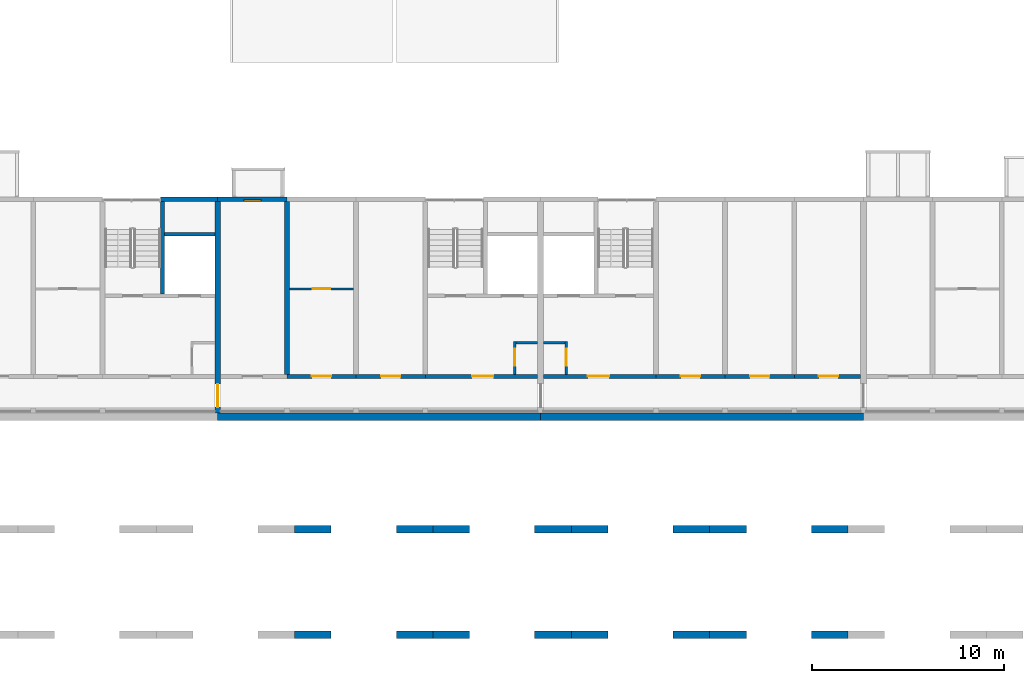
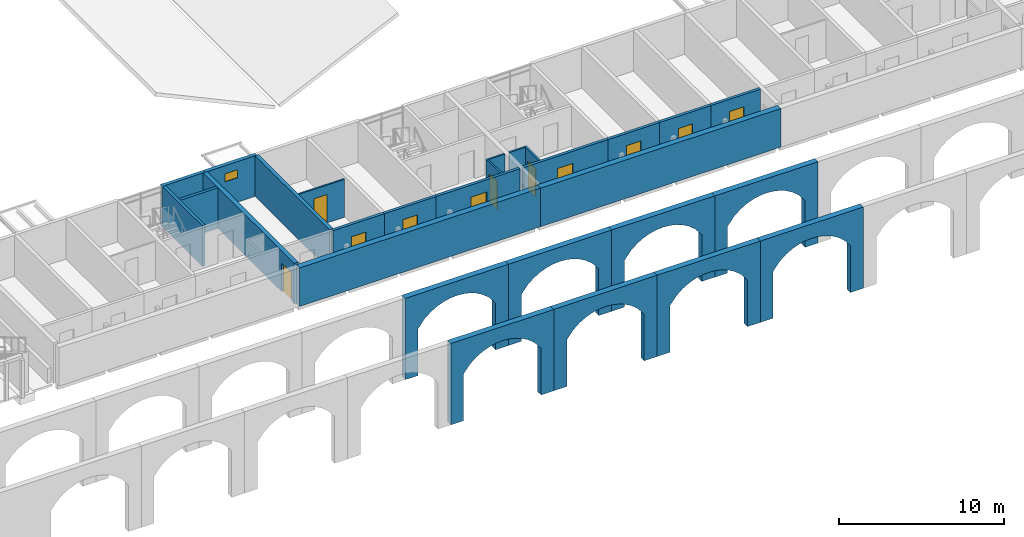
# One storey, part 54 of 122: 28 walls, 11 doors, 1 window, 12 openings.
"""IFC4 building model written with IfcOpenShell, lengths in metres."""

from ifc_helpers import new_model, si_unit, direction, frame, frame_2d, origin, place, context, subcontext, project, spatial, polyline, rectangle, outline, extrude, material, layer, layer_set, type_object, element, fill, save


model = new_model("IFC4")

# Units and contexts
model_context = context("Model", 3, precision=1e-05, world=origin(), true_north=direction((0.0, 1.0)))
body_context = subcontext(model_context, "Body", "Model", "MODEL_VIEW")
ifc_project = project(units=[si_unit("LENGTHUNIT", "METRE"), si_unit("AREAUNIT", "SQUARE_METRE"), si_unit("VOLUMEUNIT", "CUBIC_METRE"), si_unit("PLANEANGLEUNIT", "RADIAN"), si_unit("MASSUNIT", "GRAM", prefix="KILO")], contexts=[model_context])

# Site, building, storey
site_placement = place(None, origin())
site = spatial("IfcSite", under=ifc_project, at=site_placement, CompositionType="ELEMENT")
building_placement = place(site_placement, origin())
building = spatial("IfcBuilding", under=site, at=building_placement, Name="Ridgestep Commons", CompositionType="ELEMENT")
storey_placement = place(building_placement, frame((0.0, 0.0, 3.0)))
storey = spatial("IfcBuildingStorey", under=building, at=storey_placement, Name="L01", CompositionType="ELEMENT", Elevation=3.0)

# Walls
ifc_material_1 = material(Name="Precast concrete C40/50", Category="concrete")
ifc_layer_1 = layer(ifc_material_1, 0.39990234375)
ifc_layer_set_1 = layer_set([ifc_layer_1], Name="Community south arcade inner wall 400")
wall_type_1 = type_object("IfcWallType", Name="Community south arcade inner wall 400", PredefinedType="SOLIDWALL", material=ifc_layer_set_1)
wall_1_placement = place(storey_placement, frame((32.800048828125, 5.5, -3.25), z_axis=(0.0, -1.0, 0.0), x_axis=(1.0, 0.0, 0.0)))
element("IfcWall", 1, at=wall_1_placement, inside=storey, type_object=wall_type_1, Name="South arcade inner wall", PredefinedType="SOLIDWALL", context=body_context, shape_type="SweptSolid", body=[
    extrude(outline(polyline([(0.0, 0.0), (0.89990234375, 0.0), (0.89990234375, 3.449951171875), (1.349853515625, 4.01708984375), (1.800048828125, 4.3916015625), (2.25, 4.649169921875), (2.699951171875, 4.820068359375), (3.14990234375, 4.91796875), (3.599853515625, 4.949951171875), (4.050048828125, 4.91796875), (4.5, 4.820068359375), (4.949951171875, 4.649169921875), (5.39990234375, 4.3916015625), (5.849853515625, 4.01708984375), (6.300048828125, 3.449951171875), (6.300048828125, 0.0), (7.199951171875, 0.0), (7.199951171875, 6.0), (0.0, 6.0), (0.0, 0.0)])), origin(), (0.0, 0.0, -1.0), 0.39990234375),
])
wall_2_placement = place(storey_placement, frame((40.0, 5.5, -3.25), z_axis=(0.0, -1.0, 0.0), x_axis=(1.0, 0.0, 0.0)))
element("IfcWall", 2, at=wall_2_placement, inside=storey, type_object=wall_type_1, Name="South arcade inner wall", PredefinedType="SOLIDWALL", context=body_context, shape_type="SweptSolid", body=[
    extrude(outline(polyline([(0.0, 0.0), (0.89990234375, 0.0), (0.89990234375, 3.449951171875), (1.35009765625, 4.01708984375), (1.800048828125, 4.3916015625), (2.25, 4.649169921875), (2.699951171875, 4.820068359375), (3.14990234375, 4.91796875), (3.60009765625, 4.949951171875), (4.050048828125, 4.91796875), (4.5, 4.820068359375), (4.949951171875, 4.649169921875), (5.39990234375, 4.3916015625), (5.85009765625, 4.01708984375), (6.300048828125, 3.449951171875), (6.300048828125, 0.0), (7.199951171875, 0.0), (7.199951171875, 6.0), (0.0, 6.0), (0.0, 0.0)])), origin(), (0.0, 0.0, -1.0), 0.39990234375),
])
wall_3_placement = place(storey_placement, frame((47.199951171875, 5.5, -3.25), z_axis=(0.0, -1.0, 0.0), x_axis=(1.0, 0.0, 0.0)))
element("IfcWall", 3, at=wall_3_placement, inside=storey, type_object=wall_type_1, Name="South arcade inner wall", PredefinedType="SOLIDWALL", context=body_context, shape_type="SweptSolid", body=[
    extrude(outline(polyline([(0.0, 0.0), (0.900146484375, 0.0), (0.900146484375, 3.449951171875), (1.35009765625, 4.01708984375), (1.800048828125, 4.3916015625), (2.25, 4.649169921875), (2.699951171875, 4.820068359375), (3.150146484375, 4.91796875), (3.60009765625, 4.949951171875), (4.050048828125, 4.91796875), (4.5, 4.820068359375), (4.949951171875, 4.649169921875), (5.400146484375, 4.3916015625), (5.85009765625, 4.01708984375), (6.300048828125, 3.449951171875), (6.300048828125, 0.0), (7.199951171875, 0.0), (7.199951171875, 6.0), (0.0, 6.0), (0.0, 0.0)])), origin(), (0.0, 0.0, -1.0), 0.39990234375),
])
wall_4_placement = place(storey_placement, frame((54.39990234375, 5.5, -3.25), z_axis=(0.0, -1.0, 0.0), x_axis=(1.0, 0.0, 0.0)))
element("IfcWall", 4, at=wall_4_placement, inside=storey, type_object=wall_type_1, Name="South arcade inner wall", PredefinedType="SOLIDWALL", context=body_context, shape_type="SweptSolid", body=[
    extrude(outline(polyline([(0.0, 0.0), (0.900146484375, 0.0), (0.900146484375, 3.449951171875), (1.35009765625, 4.01708984375), (1.800048828125, 4.3916015625), (2.25, 4.649169921875), (2.7001953125, 4.820068359375), (3.150146484375, 4.91796875), (3.60009765625, 4.949951171875), (4.050048828125, 4.91796875), (4.5, 4.820068359375), (4.9501953125, 4.649169921875), (5.400146484375, 4.3916015625), (5.85009765625, 4.01708984375), (6.300048828125, 3.449951171875), (6.300048828125, 0.0), (7.2001953125, 0.0), (7.2001953125, 6.0), (0.0, 6.0), (0.0, 0.0)])), origin(), (0.0, 0.0, -1.0), 0.39990234375),
])
ifc_material_2 = material(Name="Precast concrete C40/50", Category="concrete")
ifc_layer_2 = layer(ifc_material_2, 0.39990234375)
ifc_layer_set_2 = layer_set([ifc_layer_2], Name="Community south arcade wall 400")
wall_type_2 = type_object("IfcWallType", Name="Community south arcade wall 400", PredefinedType="SOLIDWALL", material=ifc_layer_set_2)
wall_5_placement = place(storey_placement, frame((32.800048828125, 0.001953125, -3.25), z_axis=(0.0, -1.0, 0.0), x_axis=(1.0, 0.0, 0.0)))
element("IfcWall", 5, at=wall_5_placement, inside=storey, type_object=wall_type_2, Name="South arcade wall", PredefinedType="SOLIDWALL", context=body_context, shape_type="SweptSolid", body=[
    extrude(outline(polyline([(0.0, 0.0), (0.89990234375, 0.0), (0.89990234375, 3.449951171875), (1.349853515625, 4.01708984375), (1.800048828125, 4.3916015625), (2.25, 4.649169921875), (2.699951171875, 4.820068359375), (3.14990234375, 4.91796875), (3.599853515625, 4.949951171875), (4.050048828125, 4.91796875), (4.5, 4.820068359375), (4.949951171875, 4.649169921875), (5.39990234375, 4.3916015625), (5.849853515625, 4.01708984375), (6.300048828125, 3.449951171875), (6.300048828125, 0.0), (7.199951171875, 0.0), (7.199951171875, 6.0), (0.0, 6.0), (0.0, 0.0)])), origin(), (0.0, 0.0, -1.0), 0.39990234375),
])
wall_6_placement = place(storey_placement, frame((40.0, 0.001953125, -3.25), z_axis=(0.0, -1.0, 0.0), x_axis=(1.0, 0.0, 0.0)))
element("IfcWall", 6, at=wall_6_placement, inside=storey, type_object=wall_type_2, Name="South arcade wall", PredefinedType="SOLIDWALL", context=body_context, shape_type="SweptSolid", body=[
    extrude(outline(polyline([(0.0, 0.0), (0.89990234375, 0.0), (0.89990234375, 3.449951171875), (1.35009765625, 4.01708984375), (1.800048828125, 4.3916015625), (2.25, 4.649169921875), (2.699951171875, 4.820068359375), (3.14990234375, 4.91796875), (3.60009765625, 4.949951171875), (4.050048828125, 4.91796875), (4.5, 4.820068359375), (4.949951171875, 4.649169921875), (5.39990234375, 4.3916015625), (5.85009765625, 4.01708984375), (6.300048828125, 3.449951171875), (6.300048828125, 0.0), (7.199951171875, 0.0), (7.199951171875, 6.0), (0.0, 6.0), (0.0, 0.0)])), origin(), (0.0, 0.0, -1.0), 0.39990234375),
])
wall_7_placement = place(storey_placement, frame((47.199951171875, 0.001953125, -3.25), z_axis=(0.0, -1.0, 0.0), x_axis=(1.0, 0.0, 0.0)))
element("IfcWall", 7, at=wall_7_placement, inside=storey, type_object=wall_type_2, Name="South arcade wall", PredefinedType="SOLIDWALL", context=body_context, shape_type="SweptSolid", body=[
    extrude(outline(polyline([(0.0, 0.0), (0.900146484375, 0.0), (0.900146484375, 3.449951171875), (1.35009765625, 4.01708984375), (1.800048828125, 4.3916015625), (2.25, 4.649169921875), (2.699951171875, 4.820068359375), (3.150146484375, 4.91796875), (3.60009765625, 4.949951171875), (4.050048828125, 4.91796875), (4.5, 4.820068359375), (4.949951171875, 4.649169921875), (5.400146484375, 4.3916015625), (5.85009765625, 4.01708984375), (6.300048828125, 3.449951171875), (6.300048828125, 0.0), (7.199951171875, 0.0), (7.199951171875, 6.0), (0.0, 6.0), (0.0, 0.0)])), origin(), (0.0, 0.0, -1.0), 0.39990234375),
])
wall_8_placement = place(storey_placement, frame((54.39990234375, 0.001953125, -3.25), z_axis=(0.0, -1.0, 0.0), x_axis=(1.0, 0.0, 0.0)))
element("IfcWall", 8, at=wall_8_placement, inside=storey, type_object=wall_type_2, Name="South arcade wall", PredefinedType="SOLIDWALL", context=body_context, shape_type="SweptSolid", body=[
    extrude(outline(polyline([(0.0, 0.0), (0.900146484375, 0.0), (0.900146484375, 3.449951171875), (1.35009765625, 4.01708984375), (1.800048828125, 4.3916015625), (2.25, 4.649169921875), (2.7001953125, 4.820068359375), (3.150146484375, 4.91796875), (3.60009765625, 4.949951171875), (4.050048828125, 4.91796875), (4.5, 4.820068359375), (4.9501953125, 4.649169921875), (5.400146484375, 4.3916015625), (5.85009765625, 4.01708984375), (6.300048828125, 3.449951171875), (6.300048828125, 0.0), (7.2001953125, 0.0), (7.2001953125, 6.0), (0.0, 6.0), (0.0, 0.0)])), origin(), (0.0, 0.0, -1.0), 0.39990234375),
])

# Wall, opening, door
ifc_material_3 = material(Name="Concrete C30/37", Category="concrete")
ifc_layer_3 = layer(ifc_material_3, 0.199951171875)
ifc_layer_set_3 = layer_set([ifc_layer_3], Name="Core south wall 200")
wall_type_3 = type_object("IfcWallType", Name="Core south wall 200", PredefinedType="SHEAR", material=ifc_layer_set_3)
wall_9_placement = place(storey_placement, frame((39.60009765625, 13.64990234375, 0.0), z_axis=(0.0, 0.0, 1.0), x_axis=(1.0, 0.0, 0.0)))
wall_9 = element("IfcWall", 9, at=wall_9_placement, inside=storey, type_object=wall_type_3, Name="Core south wall A2C L01", PredefinedType="SHEAR", context=body_context, shape_type="SweptSolid", body=[
    extrude(rectangle(XDim=5.849853515625, YDim=0.199951171875, at=frame_2d((2.9248046875, 0.0))), origin(), (0.0, 0.0, 1.0), 3.0),
])
opening_1_placement = place(wall_9_placement, frame((2.4375, 0.0, 0.0)))
opening_1 = element("IfcOpeningElement", 10, at=opening_1_placement, cuts=wall_9, Name="Opening A2C/01/1", PredefinedType="OPENING", context=body_context, shape_type="SweptSolid", body=[
    extrude(rectangle(XDim=1.10009765625, YDim=2.10009765625, at=frame_2d((0.550048828125, 1.050048828125))), frame((0.0, 0.10986328125, 0.0), z_axis=(0.0, -1.0, 0.0), x_axis=(1.0, 0.0, 0.0)), (0.0, 0.0, 1.0), 0.219970703125),
])
ifc_material_4 = material(Name="Steel fire door", Category="steel")
door_type_1 = type_object("IfcDoorType", Name="Lobby door 1100 x 2100 FD60", OperationType="NOTDEFINED", PredefinedType="DOOR", material=ifc_material_4)
door_1_placement = place(opening_1_placement, origin())
door_1 = element("IfcDoor", 11, at=door_1_placement, inside=storey, type_object=door_type_1, Name="Lobby door A2C/01/1", OperationType="SINGLE_SWING_LEFT", OverallHeight=2.10009765625, OverallWidth=1.10009765625, PredefinedType="DOOR", context=body_context, shape_type="SweptSolid", body=[
    extrude(rectangle(XDim=1.10009765625, YDim=2.10009765625, at=frame_2d((0.550048828125, 1.050048828125))), frame((0.0, 0.02490234375, 0.0), z_axis=(0.0, -1.0, 0.0), x_axis=(1.0, 0.0, 0.0)), (0.0, 0.0, 1.0), 0.050048828125),
])
fill(opening_1, door_1)

wall_10_placement = place(storey_placement, frame((45.75, 13.64990234375, 0.0), z_axis=(0.0, 0.0, 1.0), x_axis=(1.0, 0.0, 0.0)))
wall_10 = element("IfcWall", 12, at=wall_10_placement, inside=storey, type_object=wall_type_3, Name="Core south wall A3C L01", PredefinedType="SHEAR", context=body_context, shape_type="SweptSolid", body=[
    extrude(rectangle(XDim=5.85009765625, YDim=0.199951171875, at=frame_2d((2.925048828125, 0.0))), origin(), (0.0, 0.0, 1.0), 3.0),
])
opening_2_placement = place(wall_10_placement, frame((2.3125, 0.0, 0.0)))
opening_2 = element("IfcOpeningElement", 13, at=opening_2_placement, cuts=wall_10, Name="Opening A3C/01/1", PredefinedType="OPENING", context=body_context, shape_type="SweptSolid", body=[
    extrude(rectangle(XDim=1.10009765625, YDim=2.10009765625, at=frame_2d((0.550048828125, 1.050048828125))), frame((0.0, 0.10986328125, 0.0), z_axis=(0.0, -1.0, 0.0), x_axis=(1.0, 0.0, 0.0)), (0.0, 0.0, 1.0), 0.219970703125),
])
door_2_placement = place(opening_2_placement, origin())
door_2 = element("IfcDoor", 14, at=door_2_placement, inside=storey, type_object=door_type_1, Name="Lobby door A3C/01/1", OperationType="SINGLE_SWING_LEFT", OverallHeight=2.10009765625, OverallWidth=1.10009765625, PredefinedType="DOOR", context=body_context, shape_type="SweptSolid", body=[
    extrude(rectangle(XDim=1.10009765625, YDim=2.10009765625, at=frame_2d((0.550048828125, 1.050048828125))), frame((0.0, 0.02490234375, 0.0), z_axis=(0.0, -1.0, 0.0), x_axis=(1.0, 0.0, 0.0)), (0.0, 0.0, 1.0), 0.050048828125),
])
fill(opening_2, door_2)

ifc_material_5 = material(Name="Concrete C30/37", Category="concrete")
ifc_layer_4 = layer(ifc_material_5, 0.1201171875)
ifc_layer_set_4 = layer_set([ifc_layer_4], Name="Core wall 120")
wall_type_4 = type_object("IfcWallType", Name="Core wall 120", PredefinedType="SHEAR", material=ifc_layer_set_4)
wall_11_placement = place(storey_placement, frame((44.260009765625, 13.75, 0.0), z_axis=(0.0, 0.0, 1.0), x_axis=(0.0, 1.0, 0.0)))
wall_11 = element("IfcWall", 15, at=wall_11_placement, inside=storey, type_object=wall_type_4, Name="Core riser w wall A2C L01", PredefinedType="SHEAR", context=body_context, shape_type="SweptSolid", body=[
    extrude(rectangle(XDim=1.719970703125, YDim=0.1201171875, at=frame_2d((0.85986328125, 0.0))), origin(), (0.0, 0.0, 1.0), 3.0),
])
opening_3_placement = place(wall_11_placement, frame((0.449951171875, 0.0, 0.0)))
opening_3 = element("IfcOpeningElement", 16, at=opening_3_placement, cuts=wall_11, Name="Opening A2C/01/4", PredefinedType="OPENING", context=body_context, shape_type="SweptSolid", body=[
    extrude(rectangle(XDim=0.89990234375, YDim=2.10009765625, at=frame_2d((0.449951171875, 1.050048828125))), frame((0.0, 0.070068359375, 0.0), z_axis=(0.0, -1.0, 0.0), x_axis=(1.0, 0.0, 0.0)), (0.0, 0.0, 1.0), 0.14013671875),
])
ifc_material_6 = material(Name="Steel fire door", Category="steel")
door_type_2 = type_object("IfcDoorType", Name="Riser door 900 x 2100 FD60", OperationType="NOTDEFINED", PredefinedType="DOOR", material=ifc_material_6)
door_3_placement = place(opening_3_placement, origin())
door_3 = element("IfcDoor", 17, at=door_3_placement, inside=storey, type_object=door_type_2, Name="Riser door A2C/01/4", OperationType="SINGLE_SWING_LEFT", OverallHeight=2.10009765625, OverallWidth=0.89990234375, PredefinedType="DOOR", context=body_context, shape_type="SweptSolid", body=[
    extrude(rectangle(XDim=0.89990234375, YDim=2.10009765625, at=frame_2d((0.449951171875, 1.050048828125))), frame((0.0, 0.02490234375, 0.0), z_axis=(0.0, -1.0, 0.0), x_axis=(1.0, 0.0, 0.0)), (0.0, 0.0, 1.0), 0.050048828125),
])
fill(opening_3, door_3)

# Wall
wall_12_placement = place(storey_placement, frame((44.320068359375, 15.409912109375, 0.0), z_axis=(0.0, 0.0, 1.0), x_axis=(1.0, 0.0, 0.0)))
element("IfcWall", 18, at=wall_12_placement, inside=storey, type_object=wall_type_4, Name="Core riser n wall A2C L01", PredefinedType="SHEAR", context=body_context, shape_type="SweptSolid", body=[
    extrude(rectangle(XDim=1.1298828125, YDim=0.1201171875, at=frame_2d((0.56494140625, 0.0))), origin(), (0.0, 0.0, 1.0), 3.0),
])

# Wall, opening, door
wall_13_placement = place(storey_placement, frame((46.93994140625, 13.75, 0.0), z_axis=(0.0, 0.0, 1.0), x_axis=(0.0, 1.0, 0.0)))
wall_13 = element("IfcWall", 19, at=wall_13_placement, inside=storey, type_object=wall_type_4, Name="Core riser w wall A3C L01", PredefinedType="SHEAR", context=body_context, shape_type="SweptSolid", body=[
    extrude(rectangle(XDim=1.719970703125, YDim=0.1201171875, at=frame_2d((0.85986328125, 0.0))), origin(), (0.0, 0.0, 1.0), 3.0),
])
opening_4_placement = place(wall_13_placement, frame((0.449951171875, 0.0, 0.0)))
opening_4 = element("IfcOpeningElement", 20, at=opening_4_placement, cuts=wall_13, Name="Opening A3C/01/4", PredefinedType="OPENING", context=body_context, shape_type="SweptSolid", body=[
    extrude(rectangle(XDim=0.89990234375, YDim=2.10009765625, at=frame_2d((0.449951171875, 1.050048828125))), frame((0.0, 0.070068359375, 0.0), z_axis=(0.0, -1.0, 0.0), x_axis=(1.0, 0.0, 0.0)), (0.0, 0.0, 1.0), 0.14013671875),
])
door_4_placement = place(opening_4_placement, origin())
door_4 = element("IfcDoor", 21, at=door_4_placement, inside=storey, type_object=door_type_2, Name="Riser door A3C/01/4", OperationType="SINGLE_SWING_RIGHT", OverallHeight=2.10009765625, OverallWidth=0.89990234375, PredefinedType="DOOR", context=body_context, shape_type="SweptSolid", body=[
    extrude(rectangle(XDim=0.89990234375, YDim=2.10009765625, at=frame_2d((0.449951171875, 1.050048828125))), frame((0.0, 0.02490234375, 0.0), z_axis=(0.0, -1.0, 0.0), x_axis=(1.0, 0.0, 0.0)), (0.0, 0.0, 1.0), 0.050048828125),
])
fill(opening_4, door_4)

# Walls
wall_14_placement = place(storey_placement, frame((45.75, 15.409912109375, 0.0), z_axis=(0.0, 0.0, 1.0), x_axis=(1.0, 0.0, 0.0)))
element("IfcWall", 22, at=wall_14_placement, inside=storey, type_object=wall_type_4, Name="Core riser n wall A3C L01", PredefinedType="SHEAR", context=body_context, shape_type="SweptSolid", body=[
    extrude(rectangle(XDim=1.1298828125, YDim=0.1201171875, at=frame_2d((0.56494140625, 0.0))), origin(), (0.0, 0.0, 1.0), 3.0),
])
ifc_material_7 = material(Name="Concrete C30/37", Category="concrete")
ifc_layer_5 = layer(ifc_material_7, 0.199951171875)
ifc_layer_set_5 = layer_set([ifc_layer_5], Name="Core wall 200")
wall_type_5 = type_object("IfcWallType", Name="Core wall 200", PredefinedType="SHEAR", material=ifc_layer_set_5)
wall_15_placement = place(storey_placement, frame((25.925048828125, 17.949951171875, 0.0), z_axis=(0.0, 0.0, 1.0), x_axis=(0.0, 1.0, 0.0)))
element("IfcWall", 23, at=wall_15_placement, inside=storey, type_object=wall_type_5, Name="Core stair wall A1C L01", PredefinedType="SHEAR", context=body_context, shape_type="SweptSolid", body=[
    extrude(rectangle(XDim=4.800048828125, YDim=0.199951171875, at=frame_2d((2.39990234375, 0.0))), origin(), (0.0, 0.0, 1.0), 3.0),
])
wall_16_placement = place(storey_placement, frame((26.02490234375, 21.050048828125, 0.0), z_axis=(0.0, 0.0, 1.0), x_axis=(1.0, 0.0, 0.0)))
element("IfcWall", 24, at=wall_16_placement, inside=storey, type_object=wall_type_5, Name="Core duct wall A1C L01", PredefinedType="SHEAR", context=body_context, shape_type="SweptSolid", body=[
    extrude(rectangle(XDim=2.625, YDim=0.199951171875, at=frame_2d((1.3125, 0.0))), origin(), (0.0, 0.0, 1.0), 3.0),
])
ifc_material_8 = material(Name="Precast concrete C40/50", Category="concrete")
ifc_layer_6 = layer(ifc_material_8, 0.25)
ifc_layer_set_6 = layer_set([ifc_layer_6], Name="Cross wall 250")
wall_type_6 = type_object("IfcWallType", Name="Cross wall 250", PredefinedType="SHEAR", material=ifc_layer_set_6)
wall_17_placement = place(storey_placement, frame((32.39990234375, 13.75, 0.0), z_axis=(0.0, 0.0, 1.0), x_axis=(0.0, 1.0, 0.0)))
element("IfcWall", 25, at=wall_17_placement, inside=storey, type_object=wall_type_6, Name="Cross wall A-01-0324", PredefinedType="SHEAR", context=body_context, shape_type="SweptSolid", body=[
    extrude(rectangle(XDim=9.0, YDim=0.25, at=frame_2d((4.5, 0.0))), origin(), (0.0, 0.0, 1.0), 3.0),
])

# Wall, opening, door
ifc_material_9 = material(Name="Precast concrete C40/50", Category="concrete")
ifc_layer_7 = layer(ifc_material_9, 0.300048828125)
ifc_layer_set_7 = layer_set([ifc_layer_7], Name="Division wall 300")
wall_type_7 = type_object("IfcWallType", Name="Division wall 300", PredefinedType="SHEAR", material=ifc_layer_set_7)
wall_18_placement = place(storey_placement, frame((28.800048828125, 11.75, 0.0), z_axis=(0.0, 0.0, 1.0), x_axis=(0.0, 1.0, 0.0)))
wall_18 = element("IfcWall", 26, at=wall_18_placement, inside=storey, type_object=wall_type_7, Name="Cross wall A-01-0288", PredefinedType="SHEAR", context=body_context, shape_type="SweptSolid", body=[
    extrude(rectangle(XDim=11.0, YDim=0.300048828125, at=frame_2d((5.5, 0.0))), origin(), (0.0, 0.0, 1.0), 3.0),
])
opening_5_placement = place(wall_18_placement, frame((0.300048828125, 0.0, 0.0)))
opening_5 = element("IfcOpeningElement", 27, at=opening_5_placement, cuts=wall_18, Name="Opening A/01/G0288", PredefinedType="OPENING", context=body_context, shape_type="SweptSolid", body=[
    extrude(rectangle(XDim=1.199951171875, YDim=2.10009765625, at=frame_2d((0.60009765625, 1.050048828125))), frame((0.0, 0.159912109375, 0.0), z_axis=(0.0, -1.0, 0.0), x_axis=(1.0, 0.0, 0.0)), (0.0, 0.0, 1.0), 0.320068359375),
])
ifc_material_10 = material(Name="Steel fire door", Category="steel")
door_type_3 = type_object("IfcDoorType", Name="Division fire door 1200 x 2100 EI 240", OperationType="DOUBLE_DOOR_SINGLE_SWING", PredefinedType="DOOR", material=ifc_material_10)
door_5_placement = place(opening_5_placement, origin())
door_5 = element("IfcDoor", 28, at=door_5_placement, inside=storey, type_object=door_type_3, Name="Division fire door A/01/G0288", OperationType="DOUBLE_DOOR_SINGLE_SWING", OverallHeight=2.10009765625, OverallWidth=1.199951171875, PredefinedType="DOOR", context=body_context, shape_type="SweptSolid", body=[
    extrude(rectangle(XDim=1.199951171875, YDim=2.10009765625, at=frame_2d((0.60009765625, 1.050048828125))), frame((0.0, 0.02490234375, 0.0), z_axis=(0.0, -1.0, 0.0), x_axis=(1.0, 0.0, 0.0)), (0.0, 0.0, 1.0), 0.050048828125),
])
fill(opening_5, door_5)

# Wall
ifc_material_11 = material(Name="Precast concrete C40/50", Category="concrete")
ifc_layer_8 = layer(ifc_material_11, 0.25)
ifc_layer_set_8 = layer_set([ifc_layer_8], Name="North facade panel 250")
wall_type_8 = type_object("IfcWallType", Name="North facade panel 250", PredefinedType="SOLIDWALL", material=ifc_layer_set_8)
wall_19_placement = place(storey_placement, frame((25.824951171875, 22.875, 0.0), z_axis=(0.0, 0.0, 1.0), x_axis=(1.0, 0.0, 0.0)))
element("IfcWall", 29, at=wall_19_placement, inside=storey, type_object=wall_type_8, Name="North panel A1C L01", PredefinedType="SOLIDWALL", context=body_context, shape_type="SweptSolid", body=[
    extrude(rectangle(XDim=2.97509765625, YDim=0.25, at=frame_2d((1.487548828125, 0.0))), origin(), (0.0, 0.0, 1.0), 3.0),
])

# Wall, opening, window
wall_20_placement = place(storey_placement, frame((28.800048828125, 22.875, 0.0), z_axis=(0.0, 0.0, 1.0), x_axis=(1.0, 0.0, 0.0)))
wall_20 = element("IfcWall", 30, at=wall_20_placement, inside=storey, type_object=wall_type_8, Name="North panel A2T1 L01", PredefinedType="SOLIDWALL", context=body_context, shape_type="SweptSolid", body=[
    extrude(rectangle(XDim=3.599853515625, YDim=0.25, at=frame_2d((1.7998046875, 0.0))), origin(), (0.0, 0.0, 1.0), 3.0),
])
opening_6_placement = place(wall_20_placement, frame((1.362548828125, 0.0, 1.800048828125)))
opening_6 = element("IfcOpeningElement", 31, at=opening_6_placement, cuts=wall_20, Name="Opening W02", PredefinedType="OPENING", context=body_context, shape_type="SweptSolid", body=[
    extrude(rectangle(XDim=0.89990234375, YDim=0.60009765625, at=frame_2d((0.449951171875, 0.300048828125))), frame((0.0, 0.135009765625, 0.0), z_axis=(0.0, -1.0, 0.0), x_axis=(1.0, 0.0, 0.0)), (0.0, 0.0, 1.0), 0.27001953125),
])
ifc_material_12 = material(Name="Aluminium 6063-T6 and glass", Category="aluminium")
window_type = type_object("IfcWindowType", Name="Flat window 900 x 600", PartitioningType="SINGLE_PANEL", PredefinedType="WINDOW", material=ifc_material_12)
window_placement = place(opening_6_placement, origin())
window = element("IfcWindow", 32, at=window_placement, inside=storey, type_object=window_type, Name="Window A2-01p 2", OverallHeight=0.60009765625, OverallWidth=0.89990234375, PartitioningType="SINGLE_PANEL", PredefinedType="WINDOW", context=body_context, shape_type="SweptSolid", body=[
    extrude(rectangle(XDim=0.89990234375, YDim=0.60009765625, at=frame_2d((0.449951171875, 0.300048828125))), frame((0.0, -0.02490234375, 0.0), z_axis=(0.0, -1.0, 0.0), x_axis=(1.0, 0.0, 0.0)), (0.0, 0.0, 1.0), 0.06005859375),
])
fill(opening_6, window)

# Wall, opening, door
ifc_material_13 = material(Name="Common brick 110 mm", Category="masonry")
ifc_layer_9 = layer(ifc_material_13, 0.110107421875)
ifc_layer_set_9 = layer_set([ifc_layer_9], Name="Partition 110")
wall_type_9 = type_object("IfcWallType", Name="Partition 110", PredefinedType="PARTITIONING", material=ifc_layer_set_9)
wall_21_placement = place(storey_placement, frame((32.52490234375, 18.205078125, 0.0), z_axis=(0.0, 0.0, 1.0), x_axis=(1.0, 0.0, 0.0)))
wall_21 = element("IfcWall", 33, at=wall_21_placement, inside=storey, type_object=wall_type_9, Name="Partition A2-01p", PredefinedType="PARTITIONING", context=body_context, shape_type="SweptSolid", body=[
    extrude(rectangle(XDim=3.35009765625, YDim=0.110107421875, at=frame_2d((1.675048828125, 0.0))), origin(), (0.0, 0.0, 1.0), 2.800048828125),
])
opening_7_placement = place(wall_21_placement, frame((1.22509765625, 0.0, 0.0)))
opening_7 = element("IfcOpeningElement", 34, at=opening_7_placement, cuts=wall_21, Name="Opening A2-01p/3", PredefinedType="OPENING", context=body_context, shape_type="SweptSolid", body=[
    extrude(rectangle(XDim=0.89990234375, YDim=2.10009765625, at=frame_2d((0.449951171875, 1.050048828125))), frame((0.0, 0.06494140625, 0.0), z_axis=(0.0, -1.0, 0.0), x_axis=(1.0, 0.0, 0.0)), (0.0, 0.0, 1.0), 0.130126953125),
])
ifc_material_14 = material(Name="Timber door leaf", Category="wood")
door_type_4 = type_object("IfcDoorType", Name="Internal door 900 x 2100", OperationType="NOTDEFINED", PredefinedType="DOOR", material=ifc_material_14)
door_6_placement = place(opening_7_placement, origin())
door_6 = element("IfcDoor", 35, at=door_6_placement, inside=storey, type_object=door_type_4, Name="Internal door A2-01p/3", OperationType="SINGLE_SWING_RIGHT", OverallHeight=2.10009765625, OverallWidth=0.89990234375, PredefinedType="DOOR", context=body_context, shape_type="SweptSolid", body=[
    extrude(rectangle(XDim=0.89990234375, YDim=2.10009765625, at=frame_2d((0.449951171875, 1.050048828125))), frame((0.0, 0.02490234375, 0.0), z_axis=(0.0, -1.0, 0.0), x_axis=(1.0, 0.0, 0.0)), (0.0, 0.0, 1.0), 0.050048828125),
])
fill(opening_7, door_6)

# Walls
ifc_material_15 = material(Name="Concrete C30/37", Category="concrete")
ifc_layer_10 = layer(ifc_material_15, 0.39990234375)
ifc_layer_set_10 = layer_set([ifc_layer_10], Name="Plinth retaining wall 400")
wall_type_10 = type_object("IfcWallType", Name="Plinth retaining wall 400", PredefinedType="SOLIDWALL", material=ifc_layer_set_10)
wall_22_placement = place(storey_placement, frame((28.800048828125, 11.550048828125, 0.0), z_axis=(0.0, 0.0, 1.0), x_axis=(1.0, 0.0, 0.0)))
element("IfcWall", 36, at=wall_22_placement, inside=storey, type_object=wall_type_10, Name="Plinth retaining wall A2 L01", PredefinedType="SOLIDWALL", context=body_context, shape_type="SweptSolid", body=[
    extrude(rectangle(XDim=16.800048828125, YDim=0.39990234375, at=frame_2d((8.39990234375, 0.0))), origin(), (0.0, 0.0, 1.0), 2.85009765625),
])
wall_23_placement = place(storey_placement, frame((45.60009765625, 11.550048828125, 0.0), z_axis=(0.0, 0.0, 1.0), x_axis=(1.0, 0.0, 0.0)))
element("IfcWall", 37, at=wall_23_placement, inside=storey, type_object=wall_type_10, Name="Plinth retaining wall A3 L01", PredefinedType="SOLIDWALL", context=body_context, shape_type="SweptSolid", body=[
    extrude(rectangle(XDim=16.7998046875, YDim=0.39990234375, at=frame_2d((8.39990234375, 0.0))), origin(), (0.0, 0.0, 1.0), 2.85009765625),
])

# Wall, opening, door
ifc_material_16 = material(Name="Precast concrete C40/50", Category="concrete")
ifc_layer_11 = layer(ifc_material_16, 0.199951171875)
ifc_layer_set_11 = layer_set([ifc_layer_11], Name="South facade panel 200")
wall_type_11 = type_object("IfcWallType", Name="South facade panel 200", PredefinedType="SOLIDWALL", material=ifc_layer_set_11)
wall_24_placement = place(storey_placement, frame((32.39990234375, 13.64990234375, 0.0), z_axis=(0.0, 0.0, 1.0), x_axis=(1.0, 0.0, 0.0)))
wall_24 = element("IfcWall", 38, at=wall_24_placement, inside=storey, type_object=wall_type_11, Name="South panel A2T2 L01", PredefinedType="SOLIDWALL", context=body_context, shape_type="SweptSolid", body=[
    extrude(rectangle(XDim=3.60009765625, YDim=0.199951171875, at=frame_2d((1.800048828125, 0.0))), origin(), (0.0, 0.0, 1.0), 3.0),
])
opening_8_placement = place(wall_24_placement, frame((1.300048828125, 0.0, 0.0)))
opening_8 = element("IfcOpeningElement", 39, at=opening_8_placement, cuts=wall_24, Name="Opening A2-01p/2", PredefinedType="OPENING", context=body_context, shape_type="SweptSolid", body=[
    extrude(rectangle(XDim=1.0, YDim=2.10009765625, at=frame_2d((0.5, 1.050048828125))), frame((0.0, 0.10986328125, 0.0), z_axis=(0.0, -1.0, 0.0), x_axis=(1.0, 0.0, 0.0)), (0.0, 0.0, 1.0), 0.219970703125),
])
ifc_material_17 = material(Name="Steel door leaf", Category="steel")
door_type_5 = type_object("IfcDoorType", Name="Store door 1000 x 2100", OperationType="NOTDEFINED", PredefinedType="DOOR", material=ifc_material_17)
door_7_placement = place(opening_8_placement, origin())
door_7 = element("IfcDoor", 40, at=door_7_placement, inside=storey, type_object=door_type_5, Name="Store door A2-01p/2", OperationType="SINGLE_SWING_RIGHT", OverallHeight=2.10009765625, OverallWidth=1.0, PredefinedType="DOOR", context=body_context, shape_type="SweptSolid", body=[
    extrude(rectangle(XDim=1.0, YDim=2.10009765625, at=frame_2d((0.5, 1.050048828125))), frame((0.0, 0.02490234375, 0.0), z_axis=(0.0, -1.0, 0.0), x_axis=(1.0, 0.0, 0.0)), (0.0, 0.0, 1.0), 0.050048828125),
])
fill(opening_8, door_7)

wall_25_placement = place(storey_placement, frame((36.0, 13.64990234375, 0.0), z_axis=(0.0, 0.0, 1.0), x_axis=(1.0, 0.0, 0.0)))
wall_25 = element("IfcWall", 41, at=wall_25_placement, inside=storey, type_object=wall_type_11, Name="South panel A2T3 L01", PredefinedType="SOLIDWALL", context=body_context, shape_type="SweptSolid", body=[
    extrude(rectangle(XDim=3.60009765625, YDim=0.199951171875, at=frame_2d((1.800048828125, 0.0))), origin(), (0.0, 0.0, 1.0), 3.0),
])
opening_9_placement = place(wall_25_placement, frame((1.300048828125, 0.0, 0.0)))
opening_9 = element("IfcOpeningElement", 42, at=opening_9_placement, cuts=wall_25, Name="Opening A2-01p/4", PredefinedType="OPENING", context=body_context, shape_type="SweptSolid", body=[
    extrude(rectangle(XDim=1.0, YDim=2.10009765625, at=frame_2d((0.5, 1.050048828125))), frame((0.0, 0.10986328125, 0.0), z_axis=(0.0, -1.0, 0.0), x_axis=(1.0, 0.0, 0.0)), (0.0, 0.0, 1.0), 0.219970703125),
])
door_8_placement = place(opening_9_placement, origin())
door_8 = element("IfcDoor", 43, at=door_8_placement, inside=storey, type_object=door_type_5, Name="Store door A2-01p/4", OperationType="SINGLE_SWING_RIGHT", OverallHeight=2.10009765625, OverallWidth=1.0, PredefinedType="DOOR", context=body_context, shape_type="SweptSolid", body=[
    extrude(rectangle(XDim=1.0, YDim=2.10009765625, at=frame_2d((0.5, 1.050048828125))), frame((0.0, 0.02490234375, 0.0), z_axis=(0.0, -1.0, 0.0), x_axis=(1.0, 0.0, 0.0)), (0.0, 0.0, 1.0), 0.050048828125),
])
fill(opening_9, door_8)

wall_26_placement = place(storey_placement, frame((51.60009765625, 13.64990234375, 0.0), z_axis=(0.0, 0.0, 1.0), x_axis=(1.0, 0.0, 0.0)))
wall_26 = element("IfcWall", 44, at=wall_26_placement, inside=storey, type_object=wall_type_11, Name="South panel A3T3 L01", PredefinedType="SOLIDWALL", context=body_context, shape_type="SweptSolid", body=[
    extrude(rectangle(XDim=3.599853515625, YDim=0.199951171875, at=frame_2d((1.7998046875, 0.0))), origin(), (0.0, 0.0, 1.0), 3.0),
])
opening_10_placement = place(wall_26_placement, frame((1.300048828125, 0.0, 0.0)))
opening_10 = element("IfcOpeningElement", 45, at=opening_10_placement, cuts=wall_26, Name="Opening A3-01p/1", PredefinedType="OPENING", context=body_context, shape_type="SweptSolid", body=[
    extrude(rectangle(XDim=1.0, YDim=2.10009765625, at=frame_2d((0.5, 1.050048828125))), frame((0.0, 0.10986328125, 0.0), z_axis=(0.0, -1.0, 0.0), x_axis=(1.0, 0.0, 0.0)), (0.0, 0.0, 1.0), 0.219970703125),
])
door_9_placement = place(opening_10_placement, origin())
door_9 = element("IfcDoor", 46, at=door_9_placement, inside=storey, type_object=door_type_5, Name="Store door A3-01p/1", OperationType="SINGLE_SWING_RIGHT", OverallHeight=2.10009765625, OverallWidth=1.0, PredefinedType="DOOR", context=body_context, shape_type="SweptSolid", body=[
    extrude(rectangle(XDim=1.0, YDim=2.10009765625, at=frame_2d((0.5, 1.050048828125))), frame((0.0, 0.02490234375, 0.0), z_axis=(0.0, -1.0, 0.0), x_axis=(1.0, 0.0, 0.0)), (0.0, 0.0, 1.0), 0.050048828125),
])
fill(opening_10, door_9)

wall_27_placement = place(storey_placement, frame((55.199951171875, 13.64990234375, 0.0), z_axis=(0.0, 0.0, 1.0), x_axis=(1.0, 0.0, 0.0)))
wall_27 = element("IfcWall", 47, at=wall_27_placement, inside=storey, type_object=wall_type_11, Name="South panel A3T2 L01", PredefinedType="SOLIDWALL", context=body_context, shape_type="SweptSolid", body=[
    extrude(rectangle(XDim=3.60009765625, YDim=0.199951171875, at=frame_2d((1.800048828125, 0.0))), origin(), (0.0, 0.0, 1.0), 3.0),
])
opening_11_placement = place(wall_27_placement, frame((1.300048828125, 0.0, 0.0)))
opening_11 = element("IfcOpeningElement", 48, at=opening_11_placement, cuts=wall_27, Name="Opening A3-01p/2", PredefinedType="OPENING", context=body_context, shape_type="SweptSolid", body=[
    extrude(rectangle(XDim=1.0, YDim=2.10009765625, at=frame_2d((0.5, 1.050048828125))), frame((0.0, 0.10986328125, 0.0), z_axis=(0.0, -1.0, 0.0), x_axis=(1.0, 0.0, 0.0)), (0.0, 0.0, 1.0), 0.219970703125),
])
door_10_placement = place(opening_11_placement, origin())
door_10 = element("IfcDoor", 49, at=door_10_placement, inside=storey, type_object=door_type_5, Name="Store door A3-01p/2", OperationType="SINGLE_SWING_RIGHT", OverallHeight=2.10009765625, OverallWidth=1.0, PredefinedType="DOOR", context=body_context, shape_type="SweptSolid", body=[
    extrude(rectangle(XDim=1.0, YDim=2.10009765625, at=frame_2d((0.5, 1.050048828125))), frame((0.0, 0.02490234375, 0.0), z_axis=(0.0, -1.0, 0.0), x_axis=(1.0, 0.0, 0.0)), (0.0, 0.0, 1.0), 0.050048828125),
])
fill(opening_11, door_10)

wall_28_placement = place(storey_placement, frame((58.800048828125, 13.64990234375, 0.0), z_axis=(0.0, 0.0, 1.0), x_axis=(1.0, 0.0, 0.0)))
wall_28 = element("IfcWall", 50, at=wall_28_placement, inside=storey, type_object=wall_type_11, Name="South panel A3T1 L01", PredefinedType="SOLIDWALL", context=body_context, shape_type="SweptSolid", body=[
    extrude(rectangle(XDim=3.449951171875, YDim=0.199951171875, at=frame_2d((1.72509765625, 0.0))), origin(), (0.0, 0.0, 1.0), 3.0),
])
opening_12_placement = place(wall_28_placement, frame((1.28759765625, 0.0, 0.0)))
opening_12 = element("IfcOpeningElement", 51, at=opening_12_placement, cuts=wall_28, Name="Opening A3-01p/3", PredefinedType="OPENING", context=body_context, shape_type="SweptSolid", body=[
    extrude(rectangle(XDim=1.0, YDim=2.10009765625, at=frame_2d((0.5, 1.050048828125))), frame((0.0, 0.10986328125, 0.0), z_axis=(0.0, -1.0, 0.0), x_axis=(1.0, 0.0, 0.0)), (0.0, 0.0, 1.0), 0.219970703125),
])
door_11_placement = place(opening_12_placement, origin())
door_11 = element("IfcDoor", 52, at=door_11_placement, inside=storey, type_object=door_type_5, Name="Store door A3-01p/3", OperationType="SINGLE_SWING_RIGHT", OverallHeight=2.10009765625, OverallWidth=1.0, PredefinedType="DOOR", context=body_context, shape_type="SweptSolid", body=[
    extrude(rectangle(XDim=1.0, YDim=2.10009765625, at=frame_2d((0.5, 1.050048828125))), frame((0.0, 0.02490234375, 0.0), z_axis=(0.0, -1.0, 0.0), x_axis=(1.0, 0.0, 0.0)), (0.0, 0.0, 1.0), 0.050048828125),
])
fill(opening_12, door_11)

save(model, "model.ifc")
